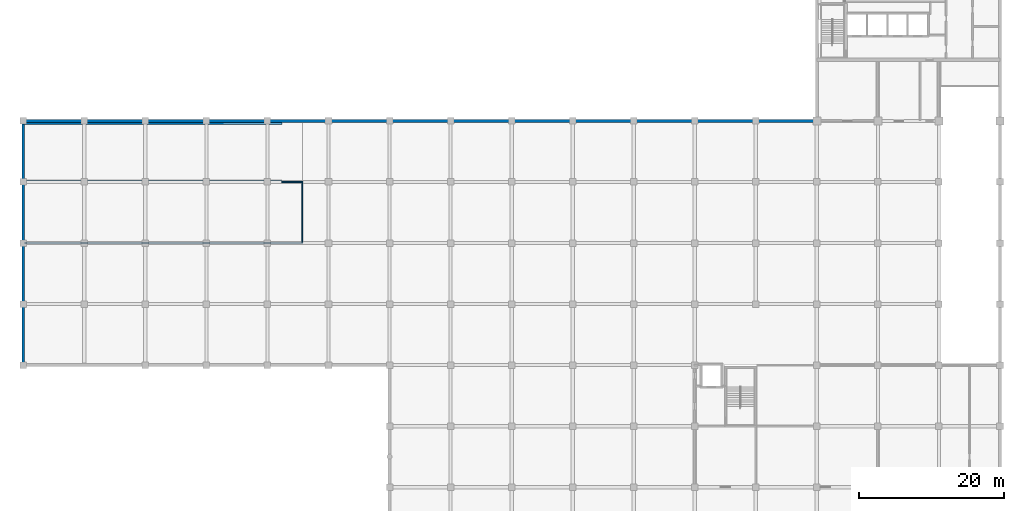
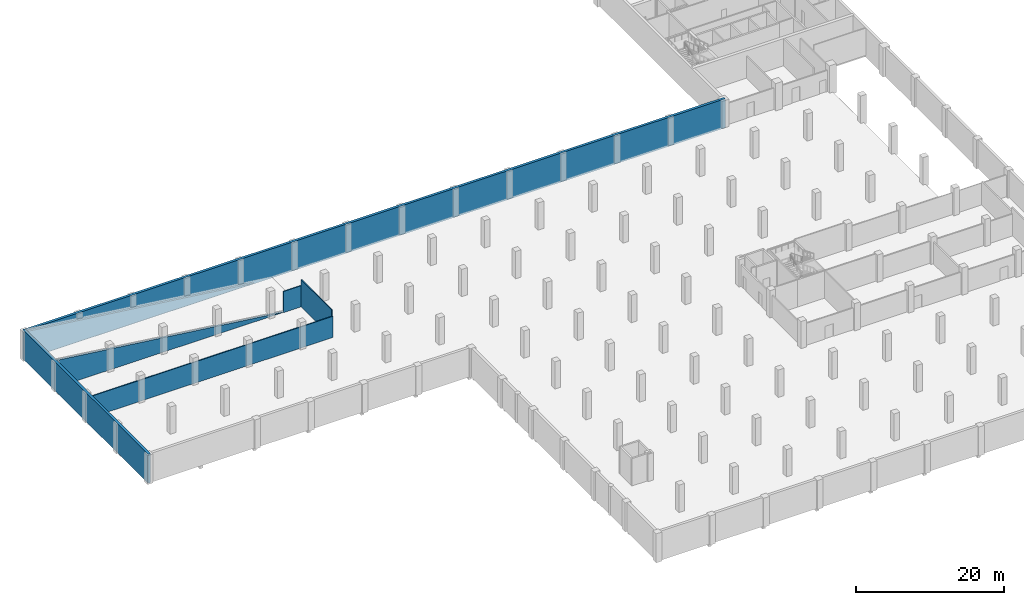
# One storey, part 5 of 13: 7 walls.
"""IFC4 building model written with IfcOpenShell, lengths in metres."""

from ifc_helpers import new_model, si_unit, direction, frame, frame_2d, origin, place, context, subcontext, project, spatial, polyline, rectangle, outline, extrude, material, layer, layer_set, type_object, element, save


model = new_model("IFC4")

# Units and contexts
model_context = context("Model", 3, precision=1e-05, world=origin(), true_north=direction((0.0, 1.0)))
body_context = subcontext(model_context, "Body", "Model", "MODEL_VIEW")
ifc_project = project(units=[si_unit("LENGTHUNIT", "METRE"), si_unit("AREAUNIT", "SQUARE_METRE"), si_unit("VOLUMEUNIT", "CUBIC_METRE"), si_unit("PLANEANGLEUNIT", "RADIAN"), si_unit("MASSUNIT", "GRAM", prefix="KILO")], contexts=[model_context])

# Site, building, storey
site_placement = place(None, origin())
site = spatial("IfcSite", under=ifc_project, at=site_placement, CompositionType="ELEMENT")
building_placement = place(site_placement, origin())
building = spatial("IfcBuilding", under=site, at=building_placement, Name="Rulbaag Community and Learning Centre", CompositionType="ELEMENT")
storey_placement = place(building_placement, frame((0.0, 0.0, -4.800048828125)))
storey = spatial("IfcBuildingStorey", under=building, at=storey_placement, Name="B1", CompositionType="ELEMENT", Elevation=-4.800048828125)

# Walls
ifc_material_1 = material(Name="Concrete blockwork", Category="masonry")
ifc_layer_1 = layer(ifc_material_1, 0.14990234375)
ifc_layer_set_1 = layer_set([ifc_layer_1], Name="IP-150 PARTITION 150")
wall_type_1 = type_object("IfcWallType", Name="IP-150 PARTITION 150", PredefinedType="PARTITIONING", material=ifc_layer_set_1)
wall_1_placement = place(storey_placement, frame((33.800048828125, 67.199951171875, 0.0), z_axis=(0.0, 0.0, 1.0), x_axis=(1.0, 0.0, 0.0)))
element("IfcWall", 1, at=wall_1_placement, inside=storey, type_object=wall_type_1, Name="Partition B1 9", PredefinedType="PARTITIONING", context=body_context, shape_type="SweptSolid", body=[
    extrude(rectangle(XDim=38.27490234375, YDim=0.14990234375, at=frame_2d((19.137451171875, 0.0))), origin(), (0.0, 0.0, 1.0), 3.5),
])
wall_2_placement = place(storey_placement, frame((69.181396484375, 75.60009765625, 0.0), z_axis=(0.0, 0.0, 1.0), x_axis=(1.0, 0.0, 0.0)))
element("IfcWall", 2, at=wall_2_placement, inside=storey, type_object=wall_type_1, Name="Partition B1 10", PredefinedType="PARTITIONING", context=body_context, shape_type="SweptSolid", body=[
    extrude(rectangle(XDim=2.8935546875, YDim=0.14990234375, at=frame_2d((1.44677734375, 0.0))), origin(), (0.0, 0.0, 1.0), 3.5),
])
wall_3_placement = place(storey_placement, frame((72.0, 67.27490234375, 0.0), z_axis=(0.0, 0.0, 1.0), x_axis=(0.0, 1.0, 0.0)))
element("IfcWall", 3, at=wall_3_placement, inside=storey, type_object=wall_type_1, Name="Partition B1 18", PredefinedType="PARTITIONING", context=body_context, shape_type="SweptSolid", body=[
    extrude(rectangle(XDim=8.25, YDim=0.14990234375, at=frame_2d((4.125, 0.0))), origin(), (0.0, 0.0, 1.0), 4.5),
])
ifc_material_2 = material(Name="Concrete M40", Category="concrete")
ifc_layer_2 = layer(ifc_material_2, 0.39990234375)
ifc_layer_set_2 = layer_set([ifc_layer_2], Name="W10 Retaining wall 400 Concrete M40")
wall_type_2 = type_object("IfcWallType", Name="W10 Retaining wall 400 Concrete M40", PredefinedType="SOLIDWALL", material=ifc_layer_set_2)
wall_4_placement = place(storey_placement, frame((143.0, 84.0, -0.300048828125), z_axis=(0.0, 0.0, 1.0), x_axis=(-1.0, 0.0, 0.0)))
element("IfcWall", 4, at=wall_4_placement, inside=storey, type_object=wall_type_2, Name="WL-RET-5-B1", PredefinedType="SOLIDWALL", context=body_context, shape_type="SweptSolid", body=[
    extrude(rectangle(XDim=109.60009765625, YDim=0.39990234375, at=frame_2d((54.800048828125, 0.0))), origin(), (0.0, 0.0, 1.0), 4.800048828125),
])
wall_5_placement = place(storey_placement, frame((33.60009765625, 84.199951171875, -0.300048828125), z_axis=(0.0, 0.0, 1.0), x_axis=(0.0, -1.0, 0.0)))
element("IfcWall", 5, at=wall_5_placement, inside=storey, type_object=wall_type_2, Name="WL-RET-6-B1", PredefinedType="SOLIDWALL", context=body_context, shape_type="SweptSolid", body=[
    extrude(rectangle(XDim=34.0, YDim=0.39990234375, at=frame_2d((17.0, 0.0))), origin(), (0.0, 0.0, 1.0), 4.800048828125),
])
ifc_material_3 = material(Name="Concrete M35", Category="concrete")
ifc_layer_3 = layer(ifc_material_3, 0.300048828125)
ifc_layer_set_3 = layer_set([ifc_layer_3], Name="W11 Ramp side wall 300 Concrete M35")
wall_type_3 = type_object("IfcWallType", Name="W11 Ramp side wall 300 Concrete M35", PredefinedType="SOLIDWALL", material=ifc_layer_set_3)
for number, where, z_axis, x_axis, name in (
    (6, (33.60009765625, 75.75, 0.0), (0.0, 0.0, 1.0), (1.0, 0.0, 0.0), "WL-R1-S"),
    (7, (33.60009765625, 83.64990234375, 0.0), (0.0, 0.0, 1.0), (1.0, 0.0, 0.0), "WL-R1-N"),
):
    element("IfcWall", number, at=place(storey_placement, frame(where, z_axis=z_axis, x_axis=x_axis)), inside=storey, type_object=wall_type_3, Name=name, PredefinedType="SOLIDWALL", context=body_context, shape_type="SweptSolid", body=[
        extrude(outline(polyline([(0.0, 0.0), (35.581298828125, 0.0), (35.581298828125, 0.050048828125), (0.0, 4.497802734375), (0.0, 0.0)])), frame((0.0, 0.14990234375, 0.0), z_axis=(0.0, -1.0, 0.0), x_axis=(1.0, 0.0, 0.0)), (0.0, 0.0, 1.0), 0.300048828125),
    ])

save(model, "model.ifc")
